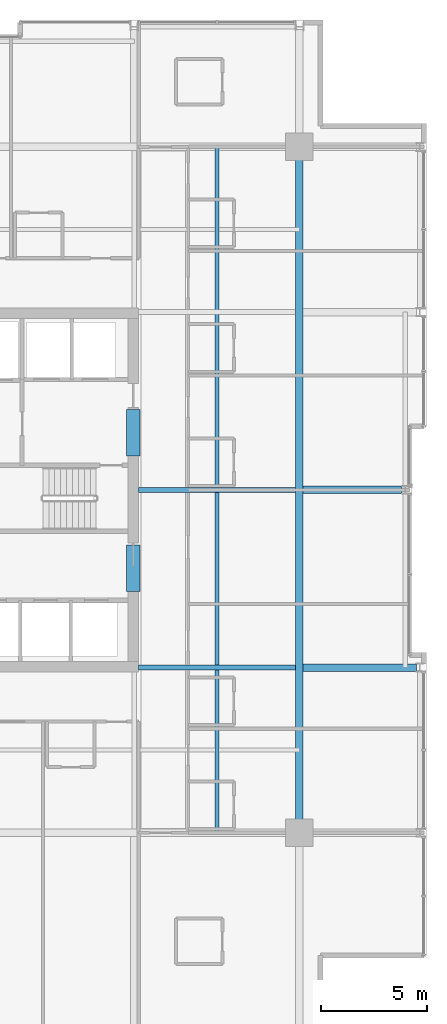
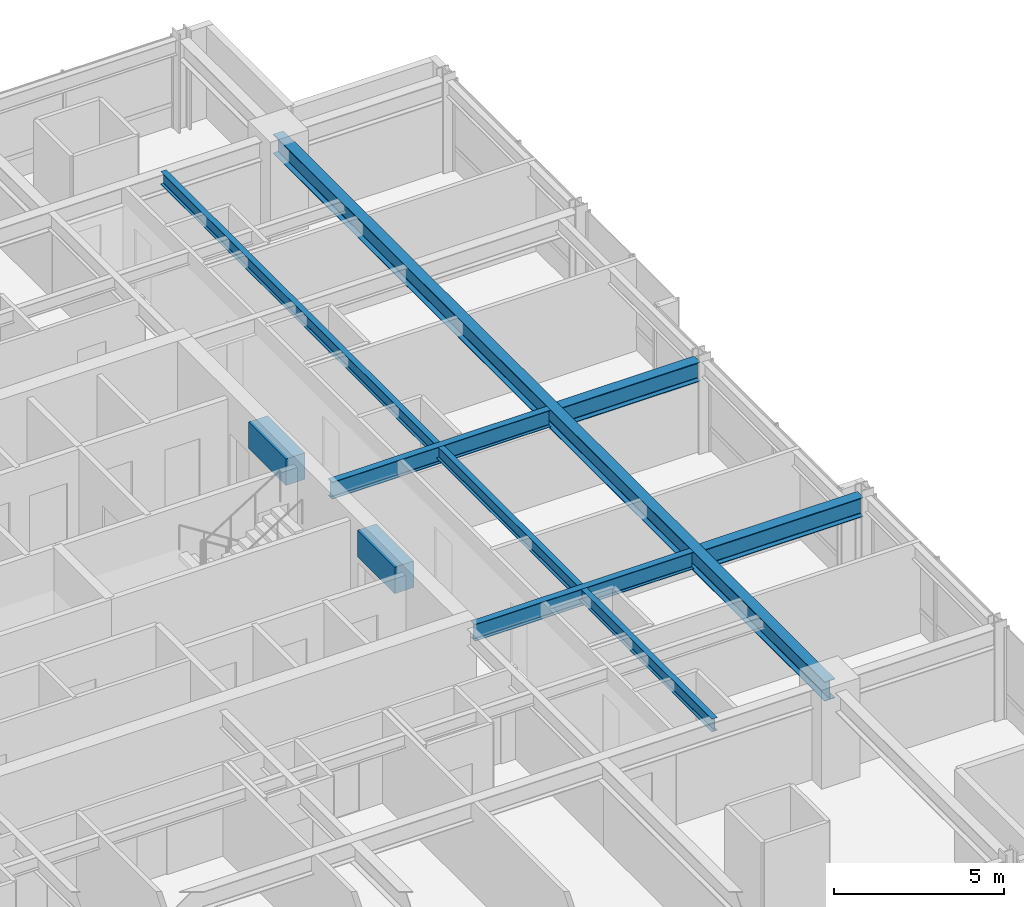
# One storey, part 14 of 33: 8 beams.
"""IFC4 building model written with IfcOpenShell, lengths in metres."""

from ifc_helpers import new_model, si_unit, direction, frame, origin, origin_2d, place, context, subcontext, project, spatial, rectangle, i_section, extrude, material, material_profile, profile_set, type_object, element, save


model = new_model("IFC4")

# Units and contexts
model_context = context("Model", 3, precision=1e-05, world=origin(), true_north=direction((0.0, 1.0)))
body_context = subcontext(model_context, "Body", "Model", "MODEL_VIEW")
ifc_project = project(units=[si_unit("LENGTHUNIT", "METRE"), si_unit("AREAUNIT", "SQUARE_METRE"), si_unit("VOLUMEUNIT", "CUBIC_METRE"), si_unit("PLANEANGLEUNIT", "RADIAN"), si_unit("MASSUNIT", "GRAM", prefix="KILO")], contexts=[model_context])

# Site, building, storey
site_placement = place(None, origin())
site = spatial("IfcSite", under=ifc_project, at=site_placement, CompositionType="ELEMENT")
building_placement = place(site_placement, origin())
building = spatial("IfcBuilding", under=site, at=building_placement, Name="Drelvath Grand Hotel", CompositionType="ELEMENT")
storey_placement = place(building_placement, frame((0.0, 0.0, 153.949951171875)))
storey = spatial("IfcBuildingStorey", under=building, at=storey_placement, Name="L39", CompositionType="ELEMENT", Elevation=153.949951171875)

# Beams
ifc_material_1 = material(Name="Steel ASTM A992 Gr 50", Category="steel")
ifc_material_profile_1 = material_profile(ifc_material_1, i_section(OverallWidth=0.19140625, OverallDepth=0.4599609375, WebThickness=0.010009765625, FlangeThickness=0.01611328125, FilletRadius=0.01611328125, at=origin_2d()), Name="W18X55")
ifc_profile_set_1 = profile_set([ifc_material_profile_1], Name="Steel ASTM A992 Gr 50")
beam_type_1 = type_object("IfcBeamType", Name="Composite Floor Joist W18X55", PredefinedType="JOIST", material=ifc_profile_set_1)
beam_1_placement = place(storey_placement, frame((12.300048828125, 10.800048828125, 3.06005859375), z_axis=(0.0, 1.0, 0.0), x_axis=(-1.0, 0.0, 0.0)))
element("IfcBeam", 1, at=beam_1_placement, inside=storey, type_object=beam_type_1, Name="L39 Wing Floor Joist J4", PredefinedType="JOIST", context=body_context, shape_type="SweptSolid", body=[
    extrude(i_section(OverallWidth=0.19140625, OverallDepth=0.4599609375, WebThickness=0.010009765625, FlangeThickness=0.01611328125, FilletRadius=0.01611328125, at=origin_2d()), origin(), (0.0, 0.0, 1.0), 32.39990234375),
])
ifc_material_2 = material(Name="Concrete f'c 55 MPa", Category="concrete")
ifc_material_profile_2 = material_profile(ifc_material_2, rectangle(XDim=0.64990234375, YDim=0.949951171875, at=origin_2d()), Name="CB650X950")
ifc_profile_set_2 = profile_set([ifc_material_profile_2], Name="Concrete f'c 55 MPa")
beam_type_2 = type_object("IfcBeamType", Name="Core Coupling Lintel CB650X950", PredefinedType="LINTEL", material=ifc_profile_set_2)
for number, where, z_axis, x_axis, name in (
    (2, (8.35009765625, 22.199951171875, 2.81494140625), (0.0, 1.0, 0.0), (-1.0, 0.0, 0.0), "L39 Core Coupling Lintel ES"),
    (3, (8.35009765625, 28.60009765625, 2.81494140625), (0.0, 1.0, 0.0), (-1.0, 0.0, 0.0), "L39 Core Coupling Lintel EN"),
):
    element("IfcBeam", number, at=place(storey_placement, frame(where, z_axis=z_axis, x_axis=x_axis)), inside=storey, type_object=beam_type_2, Name=name, PredefinedType="LINTEL", context=body_context, shape_type="SweptSolid", body=[
        extrude(rectangle(XDim=0.64990234375, YDim=0.949951171875, at=origin_2d()), origin(), (0.0, 0.0, 1.0), 2.199951171875),
    ])
ifc_material_profile_3 = material_profile(ifc_material_1, i_section(OverallWidth=0.228271484375, OverallDepth=0.607666015625, WebThickness=0.01123046875, FlangeThickness=0.017333984375, FilletRadius=0.02001953125, at=origin_2d()), Name="W24X76")
ifc_profile_set_3 = profile_set([ifc_material_profile_3], Name="Steel ASTM A992 Gr 50")
beam_type_3 = type_object("IfcBeamType", Name="Primary Floor Girder W24X76", PredefinedType="BEAM", material=ifc_profile_set_3)
for number, where, z_axis, x_axis, name in (
    (4, (8.60009765625, 18.60009765625, 2.986328125), (1.0, 0.0, 0.0), (0.0, 1.0, 0.0), "L39 East Core Tie D"),
    (5, (8.60009765625, 27.0, 2.986328125), (1.0, 0.0, 0.0), (0.0, 1.0, 0.0), "L39 East Core Tie E"),
):
    element("IfcBeam", number, at=place(storey_placement, frame(where, z_axis=z_axis, x_axis=x_axis)), inside=storey, type_object=beam_type_3, Name=name, PredefinedType="BEAM", context=body_context, shape_type="SweptSolid", body=[
        extrude(i_section(OverallWidth=0.228271484375, OverallDepth=0.607666015625, WebThickness=0.01123046875, FlangeThickness=0.017333984375, FilletRadius=0.02001953125, at=origin_2d()), origin(), (0.0, 0.0, 1.0), 7.422607421875),
    ])
ifc_material_profile_4 = material_profile(ifc_material_1, i_section(OverallWidth=0.354736328125, OverallDepth=0.695556640625, WebThickness=0.015380859375, FlangeThickness=0.025146484375, FilletRadius=0.02392578125, at=origin_2d()), Name="W27X146")
ifc_profile_set_4 = profile_set([ifc_material_profile_4], Name="Steel ASTM A992 Gr 50")
beam_type_4 = type_object("IfcBeamType", Name="Primary Floor Girder W27X146", PredefinedType="BEAM", material=ifc_profile_set_4)
beam_2_placement = place(storey_placement, frame((16.199951171875, 10.800048828125, 2.9423828125), z_axis=(0.0, 1.0, 0.0), x_axis=(-1.0, 0.0, 0.0)))
element("IfcBeam", 6, at=beam_2_placement, inside=storey, type_object=beam_type_4, Name="L39 Mega Ring Girder East", PredefinedType="BEAM", context=body_context, shape_type="SweptSolid", body=[
    extrude(i_section(OverallWidth=0.354736328125, OverallDepth=0.695556640625, WebThickness=0.015380859375, FlangeThickness=0.025146484375, FilletRadius=0.02392578125, at=origin_2d()), origin(), (0.0, 0.0, 1.0), 32.39990234375),
])
beam_3_placement = place(storey_placement, frame((16.37744140625, 18.60009765625, 2.9423828125), z_axis=(1.0, 0.0, 0.0), x_axis=(0.0, 1.0, 0.0)))
element("IfcBeam", 7, at=beam_3_placement, inside=storey, type_object=beam_type_4, Name="L39 East Wing Girder D", PredefinedType="BEAM", context=body_context, shape_type="SweptSolid", body=[
    extrude(i_section(OverallWidth=0.354736328125, OverallDepth=0.695556640625, WebThickness=0.015380859375, FlangeThickness=0.025146484375, FilletRadius=0.02392578125, at=origin_2d()), origin(), (0.0, 0.0, 1.0), 5.362548828125),
])
beam_4_placement = place(storey_placement, frame((16.37744140625, 27.0, 2.9423828125), z_axis=(1.0, 0.0, 0.0), x_axis=(0.0, 1.0, 0.0)))
element("IfcBeam", 8, at=beam_4_placement, inside=storey, type_object=beam_type_4, Name="L39 East Wing Girder E", PredefinedType="BEAM", context=body_context, shape_type="SweptSolid", body=[
    extrude(i_section(OverallWidth=0.354736328125, OverallDepth=0.695556640625, WebThickness=0.015380859375, FlangeThickness=0.025146484375, FilletRadius=0.02392578125, at=origin_2d()), origin(), (0.0, 0.0, 1.0), 4.6826171875),
])

save(model, "model.ifc")
